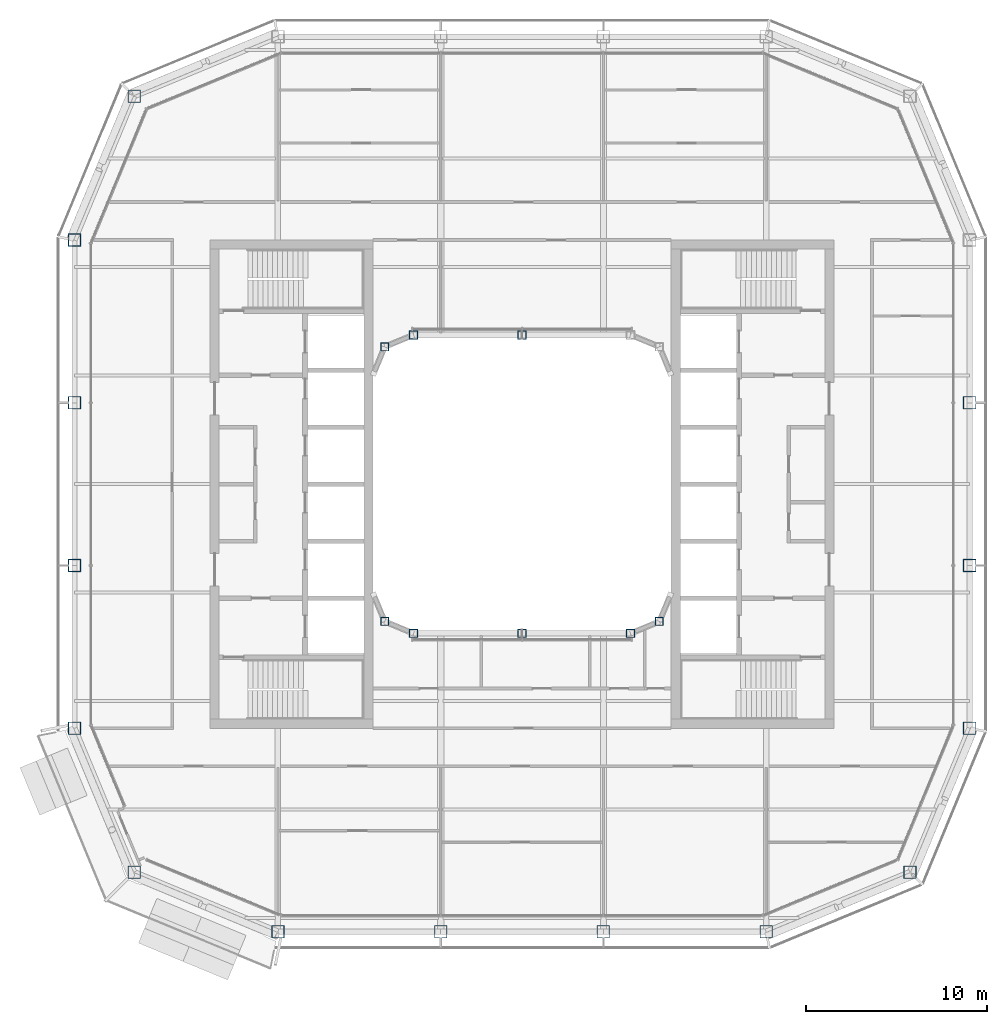
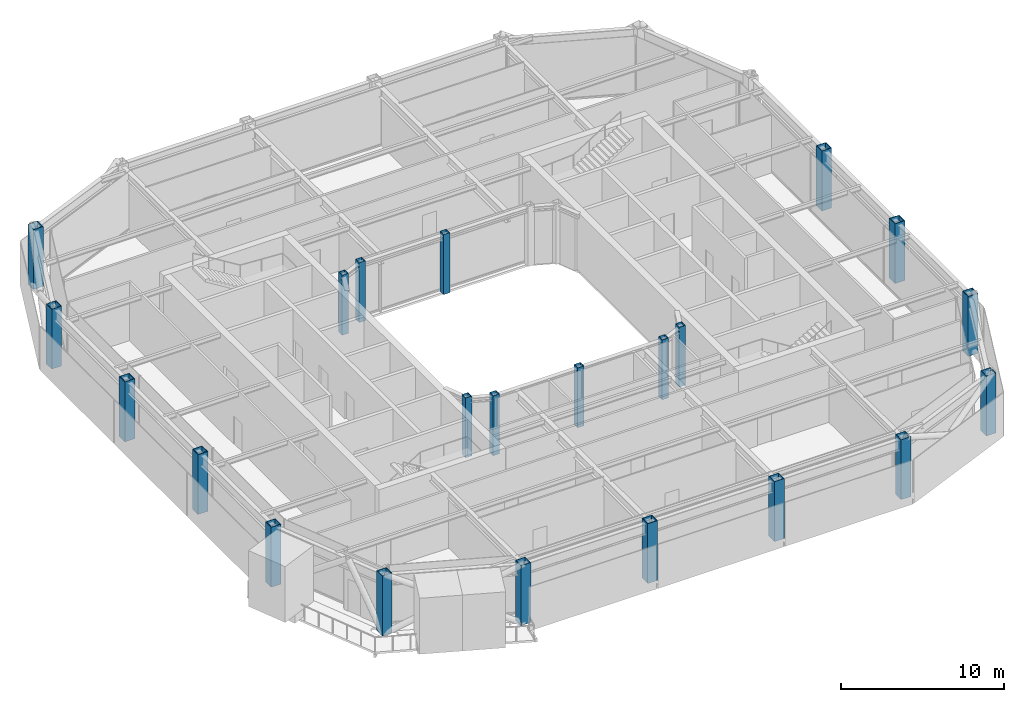
# One storey, part 1 of 21: 22 columns.
"""IFC4 building model written with IfcOpenShell, lengths in metres."""

from ifc_helpers import new_model, si_unit, direction, frame, origin, origin_2d, place, context, subcontext, project, spatial, hollow_rectangle, extrude, material, material_profile, profile_set, type_object, element, save


model = new_model("IFC4")

# Units and contexts
model_context = context("Model", 3, precision=1e-05, world=origin(), true_north=direction((0.0, 1.0)))
body_context = subcontext(model_context, "Body", "Model", "MODEL_VIEW")
ifc_project = project(units=[si_unit("LENGTHUNIT", "METRE"), si_unit("AREAUNIT", "SQUARE_METRE"), si_unit("VOLUMEUNIT", "CUBIC_METRE"), si_unit("PLANEANGLEUNIT", "RADIAN"), si_unit("MASSUNIT", "GRAM", prefix="KILO")], contexts=[model_context])

# Site, building, storey
site_placement = place(None, origin())
site = spatial("IfcSite", under=ifc_project, at=site_placement, CompositionType="ELEMENT")
building_placement = place(site_placement, origin())
building = spatial("IfcBuilding", under=site, at=building_placement, Name="Siwar Civic Tower", CompositionType="ELEMENT")
storey_placement = place(building_placement, frame((0.0, 0.0, 334.699951171875)))
storey = spatial("IfcBuildingStorey", under=building, at=storey_placement, Name="L72", CompositionType="ELEMENT", Elevation=334.699951171875)

# Columns
ifc_material_1 = material(Name="Steel S355", Category="steel")
ifc_material_profile_1 = material_profile(ifc_material_1, hollow_rectangle(XDim=0.699951171875, YDim=0.699951171875, WallThickness=0.035888671875, at=origin_2d()), Name="BOX700x700x36")
ifc_profile_set_1 = profile_set([ifc_material_profile_1], Name="Steel S355")
column_type_1 = type_object("IfcColumnType", Name="STR-COL-BOX700x700x36", PredefinedType="COLUMN", material=ifc_profile_set_1)
for number, where, z_axis, x_axis, name in (
    (1, (-13.5, -24.75, 0.0), (0.0, 0.0, 1.0), (1.0, 0.0, 0.0), "L72/col/S-0"),
    (2, (-4.5, -24.75, 0.0), (0.0, 0.0, 1.0), (1.0, 0.0, 0.0), "L72/col/S-1"),
    (3, (4.5, -24.75, 0.0), (0.0, 0.0, 1.0), (1.0, 0.0, 0.0), "L72/col/S-2"),
    (4, (13.5, -24.75, 0.0), (0.0, 0.0, 1.0), (1.0, 0.0, 0.0), "L72/col/SE1-0"),
    (5, (21.454833984375, -21.454833984375, 0.0), (0.0, 0.0, 1.0), (1.0, 0.0, 0.0), "L72/col/SE2-0"),
    (6, (24.75, -13.5, 0.0), (0.0, 0.0, 1.0), (1.0, 0.0, 0.0), "L72/col/E-0"),
    (7, (24.75, -4.5, 0.0), (0.0, 0.0, 1.0), (1.0, 0.0, 0.0), "L72/col/E-1"),
    (8, (24.75, 4.5, 0.0), (0.0, 0.0, 1.0), (1.0, 0.0, 0.0), "L72/col/E-2"),
    (9, (-21.454833984375, 21.454833984375, 0.0), (0.0, 0.0, 1.0), (1.0, 0.0, 0.0), "L72/col/NW2-0"),
    (10, (-24.75, 13.5, 0.0), (0.0, 0.0, 1.0), (1.0, 0.0, 0.0), "L72/col/W-0"),
    (11, (-24.75, 4.5, 0.0), (0.0, 0.0, 1.0), (1.0, 0.0, 0.0), "L72/col/W-1"),
    (12, (-24.75, -4.5, 0.0), (0.0, 0.0, 1.0), (1.0, 0.0, 0.0), "L72/col/W-2"),
    (13, (-24.75, -13.5, 0.0), (0.0, 0.0, 1.0), (1.0, 0.0, 0.0), "L72/col/SW1-0"),
    (14, (-21.454833984375, -21.454833984375, 0.0), (0.0, 0.0, 1.0), (1.0, 0.0, 0.0), "L72/col/SW2-0"),
):
    element("IfcColumn", number, at=place(storey_placement, frame(where, z_axis=z_axis, x_axis=x_axis)), inside=storey, type_object=column_type_1, Name=name, PredefinedType="COLUMN", context=body_context, shape_type="SweptSolid", body=[
        extrude(hollow_rectangle(XDim=0.699951171875, YDim=0.699951171875, WallThickness=0.035888671875, at=origin_2d()), origin(), (0.0, 0.0, 1.0), 4.5),
    ])
ifc_material_2 = material(Name="Steel S355", Category="steel")
ifc_material_profile_2 = material_profile(ifc_material_2, hollow_rectangle(XDim=0.449951171875, YDim=0.449951171875, WallThickness=0.02197265625, at=origin_2d()), Name="BOX450x450x22")
ifc_profile_set_2 = profile_set([ifc_material_profile_2], Name="Steel S355")
column_type_2 = type_object("IfcColumnType", Name="STR-ICOL-BOX450x450x22", PredefinedType="COLUMN", material=ifc_profile_set_2)
for number, where, z_axis, x_axis, name in (
    (15, (-7.591064453125, -7.591064453125, 0.0), (0.0, 0.0, 1.0), (1.0, 0.0, 0.0), "L72/col/IS-0"),
    (16, (-6.0, -8.25, 0.0), (0.0, 0.0, 1.0), (1.0, 0.0, 0.0), "L72/col/IS-1"),
    (17, (0.0, -8.25, 0.0), (0.0, 0.0, 1.0), (1.0, 0.0, 0.0), "L72/col/IS-2"),
    (18, (6.0, -8.25, 0.0), (0.0, 0.0, 1.0), (1.0, 0.0, 0.0), "L72/col/IS-3"),
    (19, (7.591064453125, -7.591064453125, 0.0), (0.0, 0.0, 1.0), (1.0, 0.0, 0.0), "L72/col/IS-4"),
    (20, (-7.591064453125, 7.591064453125, 0.0), (0.0, 0.0, 1.0), (1.0, 0.0, 0.0), "L72/col/IN-0"),
    (21, (-6.0, 8.25, 0.0), (0.0, 0.0, 1.0), (1.0, 0.0, 0.0), "L72/col/IN-1"),
    (22, (0.0, 8.25, 0.0), (0.0, 0.0, 1.0), (1.0, 0.0, 0.0), "L72/col/IN-2"),
):
    element("IfcColumn", number, at=place(storey_placement, frame(where, z_axis=z_axis, x_axis=x_axis)), inside=storey, type_object=column_type_2, Name=name, PredefinedType="COLUMN", context=body_context, shape_type="SweptSolid", body=[
        extrude(hollow_rectangle(XDim=0.449951171875, YDim=0.449951171875, WallThickness=0.02197265625, at=origin_2d()), origin(), (0.0, 0.0, 1.0), 4.5),
    ])

save(model, "model.ifc")
